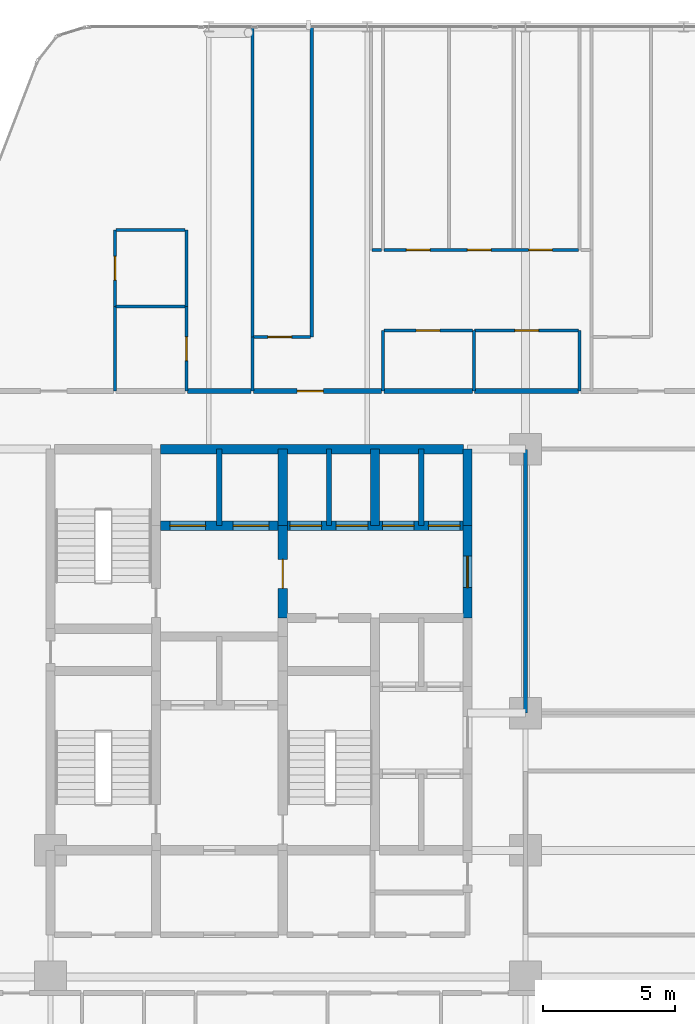
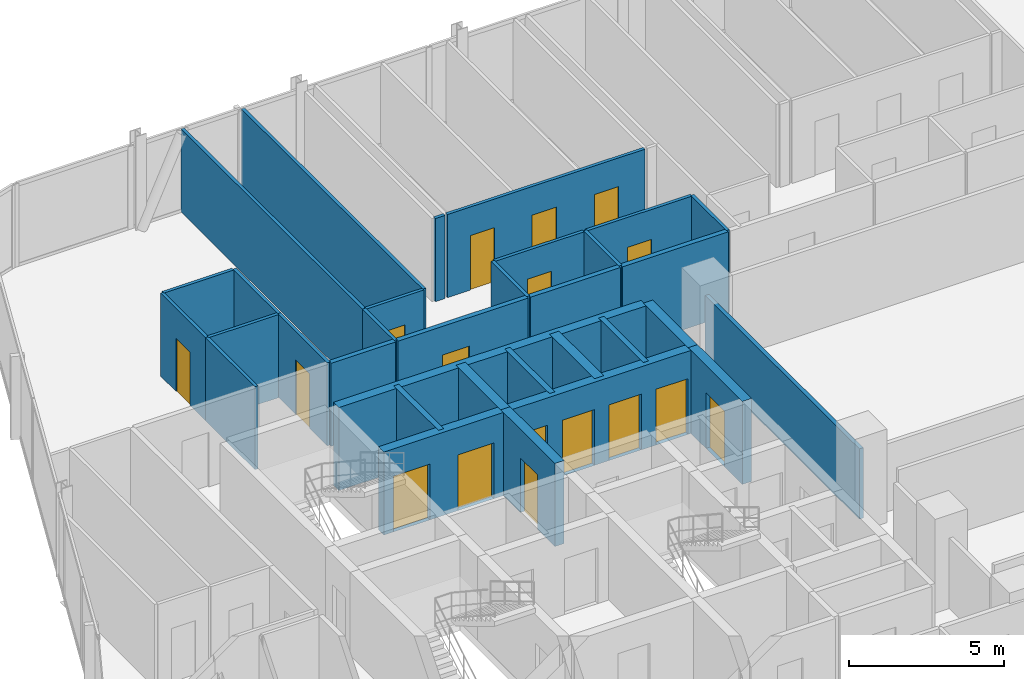
# One storey, part 30 of 34: 32 walls, 17 doors, 17 openings.
"""IFC4 building model written with IfcOpenShell, lengths in metres."""

from ifc_helpers import new_model, si_unit, direction, frame, frame_2d, origin, place, context, subcontext, project, spatial, rectangle, extrude, material, layer, layer_set, type_object, element, fill, save


model = new_model("IFC4")

# Units and contexts
model_context = context("Model", 3, precision=1e-05, world=origin(), true_north=direction((0.0, 1.0)))
body_context = subcontext(model_context, "Body", "Model", "MODEL_VIEW")
ifc_project = project(units=[si_unit("LENGTHUNIT", "METRE"), si_unit("AREAUNIT", "SQUARE_METRE"), si_unit("VOLUMEUNIT", "CUBIC_METRE"), si_unit("PLANEANGLEUNIT", "RADIAN"), si_unit("MASSUNIT", "GRAM", prefix="KILO")], contexts=[model_context])

# Site, building, storey
site_placement = place(None, origin())
site = spatial("IfcSite", under=ifc_project, at=site_placement, CompositionType="ELEMENT")
building_placement = place(site_placement, origin())
building = spatial("IfcBuilding", under=site, at=building_placement, Name="Keshet Zoharim Tower", CompositionType="ELEMENT")
storey_placement = place(building_placement, frame((0.0, 0.0, 77.5)))
storey = spatial("IfcBuildingStorey", under=building, at=storey_placement, Name="L18", CompositionType="ELEMENT", Elevation=77.5)

# Wall
ifc_material_1 = material(Name="Gypsum Plasterboard", Category="gypsum")
ifc_layer_1 = layer(ifc_material_1, 0.14990234375)
ifc_layer_set_1 = layer_set([ifc_layer_1], Name="Gypsum Plasterboard")
wall_type_1 = type_object("IfcWallType", Name="WL-CLIN-150", PredefinedType="STANDARD", material=ifc_layer_set_1)
wall_1_placement = place(storey_placement, frame((33.0, 27.909912109375, 0.0), z_axis=(0.0, 0.0, 1.0), x_axis=(0.0, 1.0, 0.0)))
element("IfcWall", 1, at=wall_1_placement, inside=storey, type_object=wall_type_1, Name="L18 Interior Wall 070", PredefinedType="STANDARD", context=body_context, shape_type="SweptSolid", body=[
    extrude(rectangle(XDim=9.97998046875, YDim=0.14990234375, at=frame_2d((4.989990234375, 0.0))), origin(), (0.0, 0.0, 1.0), 2.780029296875),
])

# Wall, opening, door
ifc_material_2 = material(Name="Concrete C60/75", Category="concrete")
ifc_layer_2 = layer(ifc_material_2, 0.35009765625)
ifc_layer_set_2 = layer_set([ifc_layer_2], Name="Concrete C60/75")
wall_type_2 = type_object("IfcWallType", Name="WL-CORE-350", PredefinedType="SHEAR", material=ifc_layer_set_2)
wall_2_placement = place(storey_placement, frame((23.800048828125, 31.5, 0.0), z_axis=(0.0, 0.0, 1.0), x_axis=(0.0, 1.0, 0.0)))
wall_2 = element("IfcWall", 2, at=wall_2_placement, inside=storey, type_object=wall_type_2, Name="L18 Core Shear Wall 038", PredefinedType="SHEAR", context=body_context, shape_type="SweptSolid", body=[
    extrude(rectangle(XDim=3.5, YDim=0.35009765625, at=frame_2d((1.75, 0.0))), origin(), (0.0, 0.0, 1.0), 3.280029296875),
])
opening_1_placement = place(wall_2_placement, frame((1.126953125, 0.0, 0.0)))
opening_1 = element("IfcOpeningElement", 3, at=opening_1_placement, cuts=wall_2, Name="Opening D-F611", PredefinedType="OPENING", context=body_context, shape_type="SweptSolid", body=[
    extrude(rectangle(XDim=1.10009765625, YDim=2.14990234375, at=frame_2d((0.550048828125, 1.074951171875))), frame((0.0, 0.18505859375, 0.0), z_axis=(0.0, -1.0, 0.0), x_axis=(1.0, 0.0, 0.0)), (0.0, 0.0, 1.0), 0.3701171875),
])
ifc_material_3 = material(Name="Hardwood Timber", Category="wood")
door_type_1 = type_object("IfcDoorType", Name="DR-FD60-110", OperationType="NOTDEFINED", PredefinedType="DOOR", material=ifc_material_3)
door_1_placement = place(opening_1_placement, origin())
door_1 = element("IfcDoor", 4, at=door_1_placement, inside=storey, type_object=door_type_1, Name="L18 Firefighting Lobby Fire Door", OperationType="SINGLE_SWING_RIGHT", OverallHeight=2.14990234375, OverallWidth=1.10009765625, PredefinedType="DOOR", context=body_context, shape_type="SweptSolid", body=[
    extrude(rectangle(XDim=1.10009765625, YDim=2.14990234375, at=frame_2d((0.550048828125, 1.074951171875))), frame((0.0, 0.02490234375, 0.0), z_axis=(0.0, -1.0, 0.0), x_axis=(1.0, 0.0, 0.0)), (0.0, 0.0, 1.0), 0.050048828125),
])
fill(opening_1, door_1)

# Walls
for number, where, z_axis, x_axis, name in (
    (5, (23.800048828125, 35.0, 0.0), (0.0, 0.0, 1.0), (0.0, 1.0, 0.0), "L18 Core Shear Wall 039"),
    (6, (27.300048828125, 35.0, 0.0), (0.0, 0.0, 1.0), (0.0, 1.0, 0.0), "L18 Core Shear Wall 050"),
):
    element("IfcWall", number, at=place(storey_placement, frame(where, z_axis=z_axis, x_axis=x_axis)), inside=storey, type_object=wall_type_2, Name=name, PredefinedType="SHEAR", context=body_context, shape_type="SweptSolid", body=[
        extrude(rectangle(XDim=2.89990234375, YDim=0.35009765625, at=frame_2d((1.449951171875, 0.0))), origin(), (0.0, 0.0, 1.0), 3.280029296875),
    ])

# Wall, opening, door
wall_3_placement = place(storey_placement, frame((30.800048828125, 31.5, 0.0), z_axis=(0.0, 0.0, 1.0), x_axis=(0.0, 1.0, 0.0)))
wall_3 = element("IfcWall", 7, at=wall_3_placement, inside=storey, type_object=wall_type_2, Name="L18 Core Shear Wall 064", PredefinedType="SHEAR", context=body_context, shape_type="SweptSolid", body=[
    extrude(rectangle(XDim=3.5, YDim=0.35009765625, at=frame_2d((1.75, 0.0))), origin(), (0.0, 0.0, 1.0), 3.280029296875),
])
opening_2_placement = place(wall_3_placement, frame((1.14990234375, 0.0, 0.0)))
opening_2 = element("IfcOpeningElement", 8, at=opening_2_placement, cuts=wall_3, Name="Opening D-F612", PredefinedType="OPENING", context=body_context, shape_type="SweptSolid", body=[
    extrude(rectangle(XDim=1.199951171875, YDim=2.199951171875, at=frame_2d((0.60009765625, 1.10009765625))), frame((0.0, 0.18505859375, 0.0), z_axis=(0.0, -1.0, 0.0), x_axis=(1.0, 0.0, 0.0)), (0.0, 0.0, 1.0), 0.3701171875),
])
door_type_2 = type_object("IfcDoorType", Name="DR-FD60-120", OperationType="NOTDEFINED", PredefinedType="DOOR", material=ifc_material_3)
door_2_placement = place(opening_2_placement, origin())
door_2 = element("IfcDoor", 9, at=door_2_placement, inside=storey, type_object=door_type_2, Name="L18 North Lift Lobby East Fire Door", OperationType="SINGLE_SWING_LEFT", OverallHeight=2.199951171875, OverallWidth=1.199951171875, PredefinedType="DOOR", context=body_context, shape_type="SweptSolid", body=[
    extrude(rectangle(XDim=1.199951171875, YDim=2.199951171875, at=frame_2d((0.60009765625, 1.10009765625))), frame((0.0, 0.02490234375, 0.0), z_axis=(0.0, -1.0, 0.0), x_axis=(1.0, 0.0, 0.0)), (0.0, 0.0, 1.0), 0.050048828125),
])
fill(opening_2, door_2)

# Wall
wall_4_placement = place(storey_placement, frame((30.800048828125, 35.0, 0.0), z_axis=(0.0, 0.0, 1.0), x_axis=(0.0, 1.0, 0.0)))
element("IfcWall", 10, at=wall_4_placement, inside=storey, type_object=wall_type_2, Name="L18 Core Shear Wall 065", PredefinedType="SHEAR", context=body_context, shape_type="SweptSolid", body=[
    extrude(rectangle(XDim=2.89990234375, YDim=0.35009765625, at=frame_2d((1.449951171875, 0.0))), origin(), (0.0, 0.0, 1.0), 3.280029296875),
])

# Wall, openings, doors
wall_5_placement = place(storey_placement, frame((19.159912109375, 35.0, 0.0), z_axis=(0.0, 0.0, 1.0), x_axis=(1.0, 0.0, 0.0)))
wall_5 = element("IfcWall", 11, at=wall_5_placement, inside=storey, type_object=wall_type_2, Name="L18 Core Shear Wall 195", PredefinedType="SHEAR", context=body_context, shape_type="SweptSolid", body=[
    extrude(rectangle(XDim=11.47998046875, YDim=0.35009765625, at=frame_2d((5.739990234375, 0.0))), origin(), (0.0, 0.0, 1.0), 3.280029296875),
])
opening_3_placement = place(wall_5_placement, frame((0.364990234375, 0.0, 0.0)))
opening_3 = element("IfcOpeningElement", 12, at=opening_3_placement, cuts=wall_5, Name="Opening LD-02", PredefinedType="OPENING", context=body_context, shape_type="SweptSolid", body=[
    extrude(rectangle(XDim=1.35009765625, YDim=2.199951171875, at=frame_2d((0.675048828125, 1.10009765625))), frame((0.0, 0.18505859375, 0.0), z_axis=(0.0, -1.0, 0.0), x_axis=(1.0, 0.0, 0.0)), (0.0, 0.0, 1.0), 0.3701171875),
])
opening_4_placement = place(wall_5_placement, frame((2.764892578125, 0.0, 0.0)))
opening_4 = element("IfcOpeningElement", 13, at=opening_4_placement, cuts=wall_5, Name="Opening LD-02", PredefinedType="OPENING", context=body_context, shape_type="SweptSolid", body=[
    extrude(rectangle(XDim=1.35009765625, YDim=2.199951171875, at=frame_2d((0.675048828125, 1.10009765625))), frame((0.0, 0.18505859375, 0.0), z_axis=(0.0, -1.0, 0.0), x_axis=(1.0, 0.0, 0.0)), (0.0, 0.0, 1.0), 0.3701171875),
])
opening_5_placement = place(wall_5_placement, frame((4.9150390625, 0.0, 0.0)))
opening_5 = element("IfcOpeningElement", 14, at=opening_5_placement, cuts=wall_5, Name="Opening LD-03", PredefinedType="OPENING", context=body_context, shape_type="SweptSolid", body=[
    extrude(rectangle(XDim=1.199951171875, YDim=2.199951171875, at=frame_2d((0.60009765625, 1.10009765625))), frame((0.0, 0.18505859375, 0.0), z_axis=(0.0, -1.0, 0.0), x_axis=(1.0, 0.0, 0.0)), (0.0, 0.0, 1.0), 0.3701171875),
])
opening_6_placement = place(wall_5_placement, frame((6.6650390625, 0.0, 0.0)))
opening_6 = element("IfcOpeningElement", 15, at=opening_6_placement, cuts=wall_5, Name="Opening LD-03", PredefinedType="OPENING", context=body_context, shape_type="SweptSolid", body=[
    extrude(rectangle(XDim=1.199951171875, YDim=2.199951171875, at=frame_2d((0.60009765625, 1.10009765625))), frame((0.0, 0.18505859375, 0.0), z_axis=(0.0, -1.0, 0.0), x_axis=(1.0, 0.0, 0.0)), (0.0, 0.0, 1.0), 0.3701171875),
])
opening_7_placement = place(wall_5_placement, frame((8.4150390625, 0.0, 0.0)))
opening_7 = element("IfcOpeningElement", 16, at=opening_7_placement, cuts=wall_5, Name="Opening LD-03", PredefinedType="OPENING", context=body_context, shape_type="SweptSolid", body=[
    extrude(rectangle(XDim=1.199951171875, YDim=2.199951171875, at=frame_2d((0.60009765625, 1.10009765625))), frame((0.0, 0.18505859375, 0.0), z_axis=(0.0, -1.0, 0.0), x_axis=(1.0, 0.0, 0.0)), (0.0, 0.0, 1.0), 0.3701171875),
])
opening_8_placement = place(wall_5_placement, frame((10.159912109375, 0.0, 0.0)))
opening_8 = element("IfcOpeningElement", 17, at=opening_8_placement, cuts=wall_5, Name="Opening LD-03", PredefinedType="OPENING", context=body_context, shape_type="SweptSolid", body=[
    extrude(rectangle(XDim=1.199951171875, YDim=2.199951171875, at=frame_2d((0.60009765625, 1.10009765625))), frame((0.0, 0.18505859375, 0.0), z_axis=(0.0, -1.0, 0.0), x_axis=(1.0, 0.0, 0.0)), (0.0, 0.0, 1.0), 0.3701171875),
])
ifc_material_4 = material(Name="Steel S355", Category="steel")
door_type_3 = type_object("IfcDoorType", Name="DR-LD02-135", OperationType="DOUBLE_DOOR_SLIDING", PredefinedType="DOOR", material=ifc_material_4)
door_3_placement = place(opening_3_placement, origin())
door_3 = element("IfcDoor", 18, at=door_3_placement, inside=storey, type_object=door_type_3, Name="L18 Firefighting Lift Landing Door FF-01", OperationType="DOUBLE_DOOR_SLIDING", OverallHeight=2.199951171875, OverallWidth=1.35009765625, PredefinedType="DOOR", context=body_context, shape_type="SweptSolid", body=[
    extrude(rectangle(XDim=1.35009765625, YDim=2.199951171875, at=frame_2d((0.675048828125, 1.10009765625))), frame((0.0, 0.02490234375, 0.0), z_axis=(0.0, -1.0, 0.0), x_axis=(1.0, 0.0, 0.0)), (0.0, 0.0, 1.0), 0.050048828125),
])
fill(opening_3, door_3)
door_4_placement = place(opening_4_placement, origin())
door_4 = element("IfcDoor", 19, at=door_4_placement, inside=storey, type_object=door_type_3, Name="L18 Firefighting Lift Landing Door FF-02", OperationType="DOUBLE_DOOR_SLIDING", OverallHeight=2.199951171875, OverallWidth=1.35009765625, PredefinedType="DOOR", context=body_context, shape_type="SweptSolid", body=[
    extrude(rectangle(XDim=1.35009765625, YDim=2.199951171875, at=frame_2d((0.675048828125, 1.10009765625))), frame((0.0, 0.02490234375, 0.0), z_axis=(0.0, -1.0, 0.0), x_axis=(1.0, 0.0, 0.0)), (0.0, 0.0, 1.0), 0.050048828125),
])
fill(opening_4, door_4)
door_type_4 = type_object("IfcDoorType", Name="DR-LD03-120", OperationType="DOUBLE_DOOR_SLIDING", PredefinedType="DOOR", material=ifc_material_4)
door_5_placement = place(opening_5_placement, origin())
door_5 = element("IfcDoor", 20, at=door_5_placement, inside=storey, type_object=door_type_4, Name="L18 Passenger Lift Landing Door LF-01", OperationType="DOUBLE_DOOR_SLIDING", OverallHeight=2.199951171875, OverallWidth=1.199951171875, PredefinedType="DOOR", context=body_context, shape_type="SweptSolid", body=[
    extrude(rectangle(XDim=1.199951171875, YDim=2.199951171875, at=frame_2d((0.60009765625, 1.10009765625))), frame((0.0, 0.02490234375, 0.0), z_axis=(0.0, -1.0, 0.0), x_axis=(1.0, 0.0, 0.0)), (0.0, 0.0, 1.0), 0.050048828125),
])
fill(opening_5, door_5)
door_6_placement = place(opening_6_placement, origin())
door_6 = element("IfcDoor", 21, at=door_6_placement, inside=storey, type_object=door_type_4, Name="L18 Passenger Lift Landing Door LF-02", OperationType="DOUBLE_DOOR_SLIDING", OverallHeight=2.199951171875, OverallWidth=1.199951171875, PredefinedType="DOOR", context=body_context, shape_type="SweptSolid", body=[
    extrude(rectangle(XDim=1.199951171875, YDim=2.199951171875, at=frame_2d((0.60009765625, 1.10009765625))), frame((0.0, 0.02490234375, 0.0), z_axis=(0.0, -1.0, 0.0), x_axis=(1.0, 0.0, 0.0)), (0.0, 0.0, 1.0), 0.050048828125),
])
fill(opening_6, door_6)
door_7_placement = place(opening_7_placement, origin())
door_7 = element("IfcDoor", 22, at=door_7_placement, inside=storey, type_object=door_type_4, Name="L18 Passenger Lift Landing Door LF-03", OperationType="DOUBLE_DOOR_SLIDING", OverallHeight=2.199951171875, OverallWidth=1.199951171875, PredefinedType="DOOR", context=body_context, shape_type="SweptSolid", body=[
    extrude(rectangle(XDim=1.199951171875, YDim=2.199951171875, at=frame_2d((0.60009765625, 1.10009765625))), frame((0.0, 0.02490234375, 0.0), z_axis=(0.0, -1.0, 0.0), x_axis=(1.0, 0.0, 0.0)), (0.0, 0.0, 1.0), 0.050048828125),
])
fill(opening_7, door_7)
door_8_placement = place(opening_8_placement, origin())
door_8 = element("IfcDoor", 23, at=door_8_placement, inside=storey, type_object=door_type_4, Name="L18 Passenger Lift Landing Door LF-04", OperationType="DOUBLE_DOOR_SLIDING", OverallHeight=2.199951171875, OverallWidth=1.199951171875, PredefinedType="DOOR", context=body_context, shape_type="SweptSolid", body=[
    extrude(rectangle(XDim=1.199951171875, YDim=2.199951171875, at=frame_2d((0.60009765625, 1.10009765625))), frame((0.0, 0.02490234375, 0.0), z_axis=(0.0, -1.0, 0.0), x_axis=(1.0, 0.0, 0.0)), (0.0, 0.0, 1.0), 0.050048828125),
])
fill(opening_8, door_8)

# Walls
wall_6_placement = place(storey_placement, frame((19.159912109375, 37.89990234375, 0.0), z_axis=(0.0, 0.0, 1.0), x_axis=(1.0, 0.0, 0.0)))
element("IfcWall", 24, at=wall_6_placement, inside=storey, type_object=wall_type_2, Name="L18 Core Shear Wall 197", PredefinedType="SHEAR", context=body_context, shape_type="SweptSolid", body=[
    extrude(rectangle(XDim=11.47998046875, YDim=0.35009765625, at=frame_2d((5.739990234375, 0.0))), origin(), (0.0, 0.0, 1.0), 3.280029296875),
])
ifc_layer_3 = layer(ifc_material_1, 0.179931640625)
ifc_layer_set_3 = layer_set([ifc_layer_3], Name="Gypsum Plasterboard")
wall_type_3 = type_object("IfcWallType", Name="WL-CORR-180", PredefinedType="STANDARD", material=ifc_layer_set_3)
wall_7_placement = place(storey_placement, frame((20.18505859375, 40.10009765625, 0.0), z_axis=(0.0, 0.0, 1.0), x_axis=(1.0, 0.0, 0.0)))
element("IfcWall", 25, at=wall_7_placement, inside=storey, type_object=wall_type_3, Name="L18 Interior Wall 203", PredefinedType="STANDARD", context=body_context, shape_type="SweptSolid", body=[
    extrude(rectangle(XDim=2.409912109375, YDim=0.179931640625, at=frame_2d((1.205078125, 0.0))), origin(), (0.0, 0.0, 1.0), 3.280029296875),
])

# Wall, opening, door
wall_8_placement = place(storey_placement, frame((22.68505859375, 40.10009765625, 0.0), z_axis=(0.0, 0.0, 1.0), x_axis=(1.0, 0.0, 0.0)))
wall_8 = element("IfcWall", 26, at=wall_8_placement, inside=storey, type_object=wall_type_3, Name="L18 Interior Wall 204", PredefinedType="STANDARD", context=body_context, shape_type="SweptSolid", body=[
    extrude(rectangle(XDim=4.85986328125, YDim=0.179931640625, at=frame_2d((2.429931640625, 0.0))), origin(), (0.0, 0.0, 1.0), 3.280029296875),
])
opening_9_placement = place(wall_8_placement, frame((1.657958984375, 0.0, 0.0)))
opening_9 = element("IfcOpeningElement", 27, at=opening_9_placement, cuts=wall_8, Name="Opening D-F310", PredefinedType="OPENING", context=body_context, shape_type="SweptSolid", body=[
    extrude(rectangle(XDim=1.0, YDim=2.14990234375, at=frame_2d((0.5, 1.074951171875))), frame((0.0, 0.10009765625, 0.0), z_axis=(0.0, -1.0, 0.0), x_axis=(1.0, 0.0, 0.0)), (0.0, 0.0, 1.0), 0.199951171875),
])
door_type_5 = type_object("IfcDoorType", Name="DR-FD30-100", OperationType="NOTDEFINED", PredefinedType="DOOR", material=ifc_material_3)
door_9_placement = place(opening_9_placement, origin())
door_9 = element("IfcDoor", 28, at=door_9_placement, inside=storey, type_object=door_type_5, Name="Apartment 1806 Entrance Door", OperationType="SINGLE_SWING_RIGHT", OverallHeight=2.14990234375, OverallWidth=1.0, PredefinedType="DOOR", context=body_context, shape_type="SweptSolid", body=[
    extrude(rectangle(XDim=1.0, YDim=2.14990234375, at=frame_2d((0.5, 1.074951171875))), frame((0.0, 0.02490234375, 0.0), z_axis=(0.0, -1.0, 0.0), x_axis=(1.0, 0.0, 0.0)), (0.0, 0.0, 1.0), 0.050048828125),
])
fill(opening_9, door_9)

# Walls
wall_9_placement = place(storey_placement, frame((27.635009765625, 40.10009765625, 0.0), z_axis=(0.0, 0.0, 1.0), x_axis=(1.0, 0.0, 0.0)))
element("IfcWall", 29, at=wall_9_placement, inside=storey, type_object=wall_type_3, Name="L18 Interior Wall 205", PredefinedType="STANDARD", context=body_context, shape_type="SweptSolid", body=[
    extrude(rectangle(XDim=3.345947265625, YDim=0.179931640625, at=frame_2d((1.6728515625, 0.0))), origin(), (0.0, 0.0, 1.0), 3.280029296875),
])
wall_10_placement = place(storey_placement, frame((31.071044921875, 40.10009765625, 0.0), z_axis=(0.0, 0.0, 1.0), x_axis=(1.0, 0.0, 0.0)))
element("IfcWall", 30, at=wall_10_placement, inside=storey, type_object=wall_type_3, Name="L18 Interior Wall 206", PredefinedType="STANDARD", context=body_context, shape_type="SweptSolid", body=[
    extrude(rectangle(XDim=3.94384765625, YDim=0.179931640625, at=frame_2d((1.971923828125, 0.0))), origin(), (0.0, 0.0, 1.0), 3.280029296875),
])
ifc_material_5 = material(Name="Concrete C50/60", Category="concrete")
ifc_layer_4 = layer(ifc_material_5, 0.199951171875)
ifc_layer_set_4 = layer_set([ifc_layer_4], Name="Concrete C50/60")
wall_type_4 = type_object("IfcWallType", Name="WL-FIRE-200", PredefinedType="STANDARD", material=ifc_layer_set_4)
for number, where, z_axis, x_axis, name in (
    (31, (21.39990234375, 35.0, 0.0), (0.0, 0.0, 1.0), (0.0, 1.0, 0.0), "L18 Interior Wall 030"),
    (32, (25.550048828125, 35.0, 0.0), (0.0, 0.0, 1.0), (0.0, 1.0, 0.0), "L18 Interior Wall 042"),
    (33, (29.050048828125, 35.0, 0.0), (0.0, 0.0, 1.0), (0.0, 1.0, 0.0), "L18 Interior Wall 055"),
):
    element("IfcWall", number, at=place(storey_placement, frame(where, z_axis=z_axis, x_axis=x_axis)), inside=storey, type_object=wall_type_4, Name=name, PredefinedType="STANDARD", context=body_context, shape_type="SweptSolid", body=[
        extrude(rectangle(XDim=2.89990234375, YDim=0.199951171875, at=frame_2d((1.449951171875, 0.0))), origin(), (0.0, 0.0, 1.0), 3.280029296875),
    ])
ifc_layer_5 = layer(ifc_material_1, 0.1201171875)
ifc_layer_set_5 = layer_set([ifc_layer_5], Name="Gypsum Plasterboard")
wall_type_5 = type_object("IfcWallType", Name="WL-PART-120", PredefinedType="PARTITIONING", material=ifc_layer_set_5)
wall_11_placement = place(storey_placement, frame((17.449951171875, 40.10009765625, 0.0), z_axis=(0.0, 0.0, 1.0), x_axis=(0.0, 1.0, 0.0)))
element("IfcWall", 34, at=wall_11_placement, inside=storey, type_object=wall_type_5, Name="L18 Interior Wall 017", PredefinedType="PARTITIONING", context=body_context, shape_type="SweptSolid", body=[
    extrude(rectangle(XDim=3.199951171875, YDim=0.1201171875, at=frame_2d((1.60009765625, 0.0))), origin(), (0.0, 0.0, 1.0), 3.280029296875),
])

# Wall, opening, door
wall_12_placement = place(storey_placement, frame((20.14990234375, 40.10009765625, 0.0), z_axis=(0.0, 0.0, 1.0), x_axis=(0.0, 1.0, 0.0)))
wall_12 = element("IfcWall", 35, at=wall_12_placement, inside=storey, type_object=wall_type_5, Name="L18 Interior Wall 026", PredefinedType="PARTITIONING", context=body_context, shape_type="SweptSolid", body=[
    extrude(rectangle(XDim=3.199951171875, YDim=0.1201171875, at=frame_2d((1.60009765625, 0.0))), origin(), (0.0, 0.0, 1.0), 3.280029296875),
])
opening_10_placement = place(wall_12_placement, frame((1.14990234375, 0.0, 0.0)))
opening_10 = element("IfcOpeningElement", 36, at=opening_10_placement, cuts=wall_12, Name="Opening D-IN90", PredefinedType="OPENING", context=body_context, shape_type="SweptSolid", body=[
    extrude(rectangle(XDim=0.89990234375, YDim=2.14990234375, at=frame_2d((0.449951171875, 1.074951171875))), frame((0.0, 0.070068359375, 0.0), z_axis=(0.0, -1.0, 0.0), x_axis=(1.0, 0.0, 0.0)), (0.0, 0.0, 1.0), 0.14013671875),
])
door_type_6 = type_object("IfcDoorType", Name="DR-INT-090", OperationType="NOTDEFINED", PredefinedType="DOOR", material=ifc_material_3)
door_10_placement = place(opening_10_placement, origin())
door_10 = element("IfcDoor", 37, at=door_10_placement, inside=storey, type_object=door_type_6, Name="Apartment 1805 Kitchenette Door", OperationType="SINGLE_SWING_RIGHT", OverallHeight=2.14990234375, OverallWidth=0.89990234375, PredefinedType="DOOR", context=body_context, shape_type="SweptSolid", body=[
    extrude(rectangle(XDim=0.89990234375, YDim=2.14990234375, at=frame_2d((0.449951171875, 1.074951171875))), frame((0.0, 0.02490234375, 0.0), z_axis=(0.0, -1.0, 0.0), x_axis=(1.0, 0.0, 0.0)), (0.0, 0.0, 1.0), 0.050048828125),
])
fill(opening_10, door_10)

# Walls
wall_13_placement = place(storey_placement, frame((22.64990234375, 40.10009765625, 0.0), z_axis=(0.0, 0.0, 1.0), x_axis=(0.0, 1.0, 0.0)))
element("IfcWall", 38, at=wall_13_placement, inside=storey, type_object=wall_type_5, Name="L18 Interior Wall 031", PredefinedType="PARTITIONING", context=body_context, shape_type="SweptSolid", body=[
    extrude(rectangle(XDim=2.0498046875, YDim=0.1201171875, at=frame_2d((1.02490234375, 0.0))), origin(), (0.0, 0.0, 1.0), 3.280029296875),
])
for number, where, z_axis, x_axis, name in (
    (39, (22.64990234375, 42.14990234375, 0.0), (0.0, 0.0, 1.0), (0.0, 1.0, 0.0), "L18 Interior Wall 032"),
    (40, (24.89990234375, 42.14990234375, 0.0), (0.0, 0.0, 1.0), (0.0, 1.0, 0.0), "L18 Interior Wall 040"),
):
    element("IfcWall", number, at=place(storey_placement, frame(where, z_axis=z_axis, x_axis=x_axis)), inside=storey, type_object=wall_type_5, Name=name, PredefinedType="PARTITIONING", context=body_context, shape_type="SweptSolid", body=[
        extrude(rectangle(XDim=11.739990234375, YDim=0.1201171875, at=frame_2d((5.8701171875, 0.0))), origin(), (0.0, 0.0, 1.0), 3.280029296875),
    ])
wall_14_placement = place(storey_placement, frame((27.60009765625, 40.10009765625, 0.0), z_axis=(0.0, 0.0, 1.0), x_axis=(0.0, 1.0, 0.0)))
element("IfcWall", 41, at=wall_14_placement, inside=storey, type_object=wall_type_5, Name="L18 Interior Wall 051", PredefinedType="PARTITIONING", context=body_context, shape_type="SweptSolid", body=[
    extrude(rectangle(XDim=2.2998046875, YDim=0.1201171875, at=frame_2d((1.14990234375, 0.0))), origin(), (0.0, 0.0, 1.0), 3.280029296875),
])

# Wall, opening, door
wall_15_placement = place(storey_placement, frame((22.68505859375, 42.14990234375, 0.0), z_axis=(0.0, 0.0, 1.0), x_axis=(1.0, 0.0, 0.0)))
wall_15 = element("IfcWall", 42, at=wall_15_placement, inside=storey, type_object=wall_type_5, Name="L18 Interior Wall 216", PredefinedType="PARTITIONING", context=body_context, shape_type="SweptSolid", body=[
    extrude(rectangle(XDim=2.159912109375, YDim=0.1201171875, at=frame_2d((1.080078125, 0.0))), origin(), (0.0, 0.0, 1.0), 3.280029296875),
])
opening_11_placement = place(wall_15_placement, frame((0.552978515625, 0.0, 0.0)))
opening_11 = element("IfcOpeningElement", 43, at=opening_11_placement, cuts=wall_15, Name="Opening D-IN90", PredefinedType="OPENING", context=body_context, shape_type="SweptSolid", body=[
    extrude(rectangle(XDim=0.89990234375, YDim=2.14990234375, at=frame_2d((0.449951171875, 1.074951171875))), frame((0.0, 0.070068359375, 0.0), z_axis=(0.0, -1.0, 0.0), x_axis=(1.0, 0.0, 0.0)), (0.0, 0.0, 1.0), 0.14013671875),
])
door_11_placement = place(opening_11_placement, origin())
door_11 = element("IfcDoor", 44, at=door_11_placement, inside=storey, type_object=door_type_6, Name="Apartment 1806 Formal Dining Room Door", OperationType="SINGLE_SWING_LEFT", OverallHeight=2.14990234375, OverallWidth=0.89990234375, PredefinedType="DOOR", context=body_context, shape_type="SweptSolid", body=[
    extrude(rectangle(XDim=0.89990234375, YDim=2.14990234375, at=frame_2d((0.449951171875, 1.074951171875))), frame((0.0, 0.02490234375, 0.0), z_axis=(0.0, -1.0, 0.0), x_axis=(1.0, 0.0, 0.0)), (0.0, 0.0, 1.0), 0.050048828125),
])
fill(opening_11, door_11)

wall_16_placement = place(storey_placement, frame((27.635009765625, 42.39990234375, 0.0), z_axis=(0.0, 0.0, 1.0), x_axis=(1.0, 0.0, 0.0)))
wall_16 = element("IfcWall", 45, at=wall_16_placement, inside=storey, type_object=wall_type_5, Name="L18 Interior Wall 218", PredefinedType="PARTITIONING", context=body_context, shape_type="SweptSolid", body=[
    extrude(rectangle(XDim=3.345947265625, YDim=0.1201171875, at=frame_2d((1.6728515625, 0.0))), origin(), (0.0, 0.0, 1.0), 3.280029296875),
])
opening_12_placement = place(wall_16_placement, frame((1.222900390625, 0.0, 0.0)))
opening_12 = element("IfcOpeningElement", 46, at=opening_12_placement, cuts=wall_16, Name="Opening D-IN90", PredefinedType="OPENING", context=body_context, shape_type="SweptSolid", body=[
    extrude(rectangle(XDim=0.89990234375, YDim=2.14990234375, at=frame_2d((0.449951171875, 1.074951171875))), frame((0.0, 0.070068359375, 0.0), z_axis=(0.0, -1.0, 0.0), x_axis=(1.0, 0.0, 0.0)), (0.0, 0.0, 1.0), 0.14013671875),
])
door_12_placement = place(opening_12_placement, origin())
door_12 = element("IfcDoor", 47, at=door_12_placement, inside=storey, type_object=door_type_6, Name="Apartment 1806 Kitchen Door", OperationType="SINGLE_SWING_LEFT", OverallHeight=2.14990234375, OverallWidth=0.89990234375, PredefinedType="DOOR", context=body_context, shape_type="SweptSolid", body=[
    extrude(rectangle(XDim=0.89990234375, YDim=2.14990234375, at=frame_2d((0.449951171875, 1.074951171875))), frame((0.0, 0.02490234375, 0.0), z_axis=(0.0, -1.0, 0.0), x_axis=(1.0, 0.0, 0.0)), (0.0, 0.0, 1.0), 0.050048828125),
])
fill(opening_12, door_12)

# Wall
wall_17_placement = place(storey_placement, frame((27.18505859375, 45.449951171875, 0.0), z_axis=(0.0, 0.0, 1.0), x_axis=(1.0, 0.0, 0.0)))
element("IfcWall", 48, at=wall_17_placement, inside=storey, type_object=wall_type_5, Name="L18 Interior Wall 225", PredefinedType="PARTITIONING", context=body_context, shape_type="SweptSolid", body=[
    extrude(rectangle(XDim=0.35986328125, YDim=0.1201171875, at=frame_2d((0.179931640625, 0.0))), origin(), (0.0, 0.0, 1.0), 3.280029296875),
])

# Wall, openings, doors
wall_18_placement = place(storey_placement, frame((27.635009765625, 45.449951171875, 0.0), z_axis=(0.0, 0.0, 1.0), x_axis=(1.0, 0.0, 0.0)))
wall_18 = element("IfcWall", 49, at=wall_18_placement, inside=storey, type_object=wall_type_5, Name="L18 Interior Wall 226", PredefinedType="PARTITIONING", context=body_context, shape_type="SweptSolid", body=[
    extrude(rectangle(XDim=7.3798828125, YDim=0.1201171875, at=frame_2d((3.68994140625, 0.0))), origin(), (0.0, 0.0, 1.0), 3.280029296875),
])
opening_13_placement = place(wall_18_placement, frame((0.85205078125, 0.0, 0.0)))
opening_13 = element("IfcOpeningElement", 50, at=opening_13_placement, cuts=wall_18, Name="Opening D-IN90", PredefinedType="OPENING", context=body_context, shape_type="SweptSolid", body=[
    extrude(rectangle(XDim=0.89990234375, YDim=2.14990234375, at=frame_2d((0.449951171875, 1.074951171875))), frame((0.0, 0.070068359375, 0.0), z_axis=(0.0, -1.0, 0.0), x_axis=(1.0, 0.0, 0.0)), (0.0, 0.0, 1.0), 0.14013671875),
])
opening_14_placement = place(wall_18_placement, frame((3.1640625, 0.0, 0.0)))
opening_14 = element("IfcOpeningElement", 51, at=opening_14_placement, cuts=wall_18, Name="Opening D-IN90", PredefinedType="OPENING", context=body_context, shape_type="SweptSolid", body=[
    extrude(rectangle(XDim=0.89990234375, YDim=2.14990234375, at=frame_2d((0.449951171875, 1.074951171875))), frame((0.0, 0.070068359375, 0.0), z_axis=(0.0, -1.0, 0.0), x_axis=(1.0, 0.0, 0.0)), (0.0, 0.0, 1.0), 0.14013671875),
])
opening_15_placement = place(wall_18_placement, frame((5.48193359375, 0.0, 0.0)))
opening_15 = element("IfcOpeningElement", 52, at=opening_15_placement, cuts=wall_18, Name="Opening D-IN90", PredefinedType="OPENING", context=body_context, shape_type="SweptSolid", body=[
    extrude(rectangle(XDim=0.89990234375, YDim=2.14990234375, at=frame_2d((0.449951171875, 1.074951171875))), frame((0.0, 0.070068359375, 0.0), z_axis=(0.0, -1.0, 0.0), x_axis=(1.0, 0.0, 0.0)), (0.0, 0.0, 1.0), 0.14013671875),
])
door_13_placement = place(opening_13_placement, origin())
door_13 = element("IfcDoor", 53, at=door_13_placement, inside=storey, type_object=door_type_6, Name="Apartment 1806 Bedroom 1 Door", OperationType="SINGLE_SWING_LEFT", OverallHeight=2.14990234375, OverallWidth=0.89990234375, PredefinedType="DOOR", context=body_context, shape_type="SweptSolid", body=[
    extrude(rectangle(XDim=0.89990234375, YDim=2.14990234375, at=frame_2d((0.449951171875, 1.074951171875))), frame((0.0, 0.02490234375, 0.0), z_axis=(0.0, -1.0, 0.0), x_axis=(1.0, 0.0, 0.0)), (0.0, 0.0, 1.0), 0.050048828125),
])
fill(opening_13, door_13)
door_14_placement = place(opening_14_placement, origin())
door_14 = element("IfcDoor", 54, at=door_14_placement, inside=storey, type_object=door_type_6, Name="Apartment 1806 Bedroom 2 Door", OperationType="SINGLE_SWING_RIGHT", OverallHeight=2.14990234375, OverallWidth=0.89990234375, PredefinedType="DOOR", context=body_context, shape_type="SweptSolid", body=[
    extrude(rectangle(XDim=0.89990234375, YDim=2.14990234375, at=frame_2d((0.449951171875, 1.074951171875))), frame((0.0, 0.02490234375, 0.0), z_axis=(0.0, -1.0, 0.0), x_axis=(1.0, 0.0, 0.0)), (0.0, 0.0, 1.0), 0.050048828125),
])
fill(opening_14, door_14)
door_15_placement = place(opening_15_placement, origin())
door_15 = element("IfcDoor", 55, at=door_15_placement, inside=storey, type_object=door_type_6, Name="Apartment 1806 Bedroom 3 Door", OperationType="SINGLE_SWING_LEFT", OverallHeight=2.14990234375, OverallWidth=0.89990234375, PredefinedType="DOOR", context=body_context, shape_type="SweptSolid", body=[
    extrude(rectangle(XDim=0.89990234375, YDim=2.14990234375, at=frame_2d((0.449951171875, 1.074951171875))), frame((0.0, 0.02490234375, 0.0), z_axis=(0.0, -1.0, 0.0), x_axis=(1.0, 0.0, 0.0)), (0.0, 0.0, 1.0), 0.050048828125),
])
fill(opening_15, door_15)

# Wall, opening, door
ifc_layer_6 = layer(ifc_material_1, 0.1201171875)
ifc_layer_set_6 = layer_set([ifc_layer_6], Name="Gypsum Plasterboard")
wall_type_6 = type_object("IfcWallType", Name="WL-WET-120", PredefinedType="PARTITIONING", material=ifc_layer_set_6)
wall_19_placement = place(storey_placement, frame((17.449951171875, 43.300048828125, 0.0), z_axis=(0.0, 0.0, 1.0), x_axis=(0.0, 1.0, 0.0)))
wall_19 = element("IfcWall", 56, at=wall_19_placement, inside=storey, type_object=wall_type_6, Name="L18 Interior Wall 018", PredefinedType="PARTITIONING", context=body_context, shape_type="SweptSolid", body=[
    extrude(rectangle(XDim=2.89990234375, YDim=0.1201171875, at=frame_2d((1.449951171875, 0.0))), origin(), (0.0, 0.0, 1.0), 3.280029296875),
])
opening_16_placement = place(wall_19_placement, frame((1.0, 0.0, 0.0)))
opening_16 = element("IfcOpeningElement", 57, at=opening_16_placement, cuts=wall_19, Name="Opening D-WT90", PredefinedType="OPENING", context=body_context, shape_type="SweptSolid", body=[
    extrude(rectangle(XDim=0.89990234375, YDim=2.10009765625, at=frame_2d((0.449951171875, 1.050048828125))), frame((0.0, 0.070068359375, 0.0), z_axis=(0.0, -1.0, 0.0), x_axis=(1.0, 0.0, 0.0)), (0.0, 0.0, 1.0), 0.14013671875),
])
door_type_7 = type_object("IfcDoorType", Name="DR-WET-090", OperationType="NOTDEFINED", PredefinedType="DOOR", material=ifc_material_3)
door_16_placement = place(opening_16_placement, origin())
door_16 = element("IfcDoor", 58, at=door_16_placement, inside=storey, type_object=door_type_7, Name="Apartment 1805 Bathroom Door", OperationType="SINGLE_SWING_RIGHT", OverallHeight=2.10009765625, OverallWidth=0.89990234375, PredefinedType="DOOR", context=body_context, shape_type="SweptSolid", body=[
    extrude(rectangle(XDim=0.89990234375, YDim=2.10009765625, at=frame_2d((0.449951171875, 1.050048828125))), frame((0.0, 0.02490234375, 0.0), z_axis=(0.0, -1.0, 0.0), x_axis=(1.0, 0.0, 0.0)), (0.0, 0.0, 1.0), 0.050048828125),
])
fill(opening_16, door_16)

# Walls
wall_20_placement = place(storey_placement, frame((20.14990234375, 43.300048828125, 0.0), z_axis=(0.0, 0.0, 1.0), x_axis=(0.0, 1.0, 0.0)))
element("IfcWall", 59, at=wall_20_placement, inside=storey, type_object=wall_type_6, Name="L18 Interior Wall 027", PredefinedType="PARTITIONING", context=body_context, shape_type="SweptSolid", body=[
    extrude(rectangle(XDim=2.89990234375, YDim=0.1201171875, at=frame_2d((1.449951171875, 0.0))), origin(), (0.0, 0.0, 1.0), 3.280029296875),
])
for number, where, z_axis, x_axis, name in (
    (60, (31.050048828125, 40.10009765625, 0.0), (0.0, 0.0, 1.0), (0.0, 1.0, 0.0), "L18 Interior Wall 066"),
    (61, (35.050048828125, 40.10009765625, 0.0), (0.0, 0.0, 1.0), (0.0, 1.0, 0.0), "L18 Interior Wall 074"),
):
    element("IfcWall", number, at=place(storey_placement, frame(where, z_axis=z_axis, x_axis=x_axis)), inside=storey, type_object=wall_type_6, Name=name, PredefinedType="PARTITIONING", context=body_context, shape_type="SweptSolid", body=[
        extrude(rectangle(XDim=2.2998046875, YDim=0.1201171875, at=frame_2d((1.14990234375, 0.0))), origin(), (0.0, 0.0, 1.0), 3.280029296875),
    ])

# Wall, opening, door
wall_21_placement = place(storey_placement, frame((31.071044921875, 42.39990234375, 0.0), z_axis=(0.0, 0.0, 1.0), x_axis=(1.0, 0.0, 0.0)))
wall_21 = element("IfcWall", 62, at=wall_21_placement, inside=storey, type_object=wall_type_6, Name="L18 Interior Wall 219", PredefinedType="PARTITIONING", context=body_context, shape_type="SweptSolid", body=[
    extrude(rectangle(XDim=3.94384765625, YDim=0.1201171875, at=frame_2d((1.971923828125, 0.0))), origin(), (0.0, 0.0, 1.0), 3.280029296875),
])
opening_17_placement = place(wall_21_placement, frame((1.52197265625, 0.0, 0.0)))
opening_17 = element("IfcOpeningElement", 63, at=opening_17_placement, cuts=wall_21, Name="Opening D-WT90", PredefinedType="OPENING", context=body_context, shape_type="SweptSolid", body=[
    extrude(rectangle(XDim=0.89990234375, YDim=2.10009765625, at=frame_2d((0.449951171875, 1.050048828125))), frame((0.0, 0.070068359375, 0.0), z_axis=(0.0, -1.0, 0.0), x_axis=(1.0, 0.0, 0.0)), (0.0, 0.0, 1.0), 0.14013671875),
])
door_17_placement = place(opening_17_placement, origin())
door_17 = element("IfcDoor", 64, at=door_17_placement, inside=storey, type_object=door_type_7, Name="Apartment 1806 Bathroom Door", OperationType="SINGLE_SWING_RIGHT", OverallHeight=2.10009765625, OverallWidth=0.89990234375, PredefinedType="DOOR", context=body_context, shape_type="SweptSolid", body=[
    extrude(rectangle(XDim=0.89990234375, YDim=2.10009765625, at=frame_2d((0.449951171875, 1.050048828125))), frame((0.0, 0.02490234375, 0.0), z_axis=(0.0, -1.0, 0.0), x_axis=(1.0, 0.0, 0.0)), (0.0, 0.0, 1.0), 0.050048828125),
])
fill(opening_17, door_17)

# Walls
for number, where, z_axis, x_axis, name in (
    (65, (17.485107421875, 43.300048828125, 0.0), (0.0, 0.0, 1.0), (1.0, 0.0, 0.0), "L18 Interior Wall 224"),
    (66, (17.485107421875, 46.199951171875, 0.0), (0.0, 0.0, 1.0), (1.0, 0.0, 0.0), "L18 Interior Wall 232"),
):
    element("IfcWall", number, at=place(storey_placement, frame(where, z_axis=z_axis, x_axis=x_axis)), inside=storey, type_object=wall_type_6, Name=name, PredefinedType="PARTITIONING", context=body_context, shape_type="SweptSolid", body=[
        extrude(rectangle(XDim=2.60986328125, YDim=0.1201171875, at=frame_2d((1.304931640625, 0.0))), origin(), (0.0, 0.0, 1.0), 3.280029296875),
    ])

save(model, "model.ifc")
